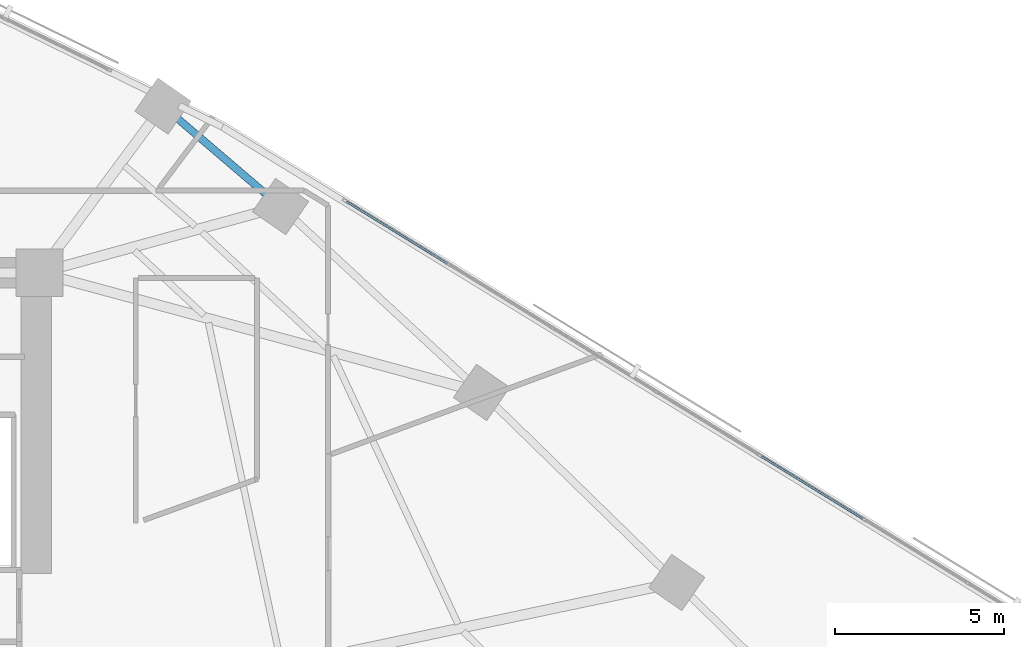
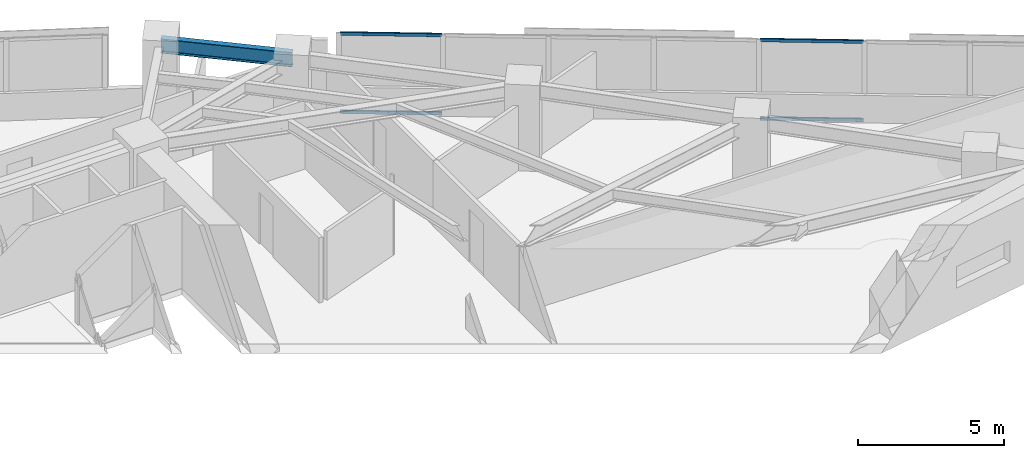
# One storey, part 7 of 18: 4 members, 1 beam, 1 element without a shape of its own.
"""IFC4 building model written with IfcOpenShell, lengths in metres."""

import ifcopenshell
import ifcopenshell.guid

model = None  # the IFC model being written
_history = None  # IfcOwnerHistory: only IFC2X3 demands one
_inside = {}  # id of a spatial element -> (the spatial element, [elements in it])
_under = {}  # id of a project, library or spatial element -> (it, [spatial elements below it])
_declared = {}  # id of a project -> (the project, [libraries it declares])
_typed = {}  # id of a type object -> (the type object, [elements of that type])
_made_of = {}  # id of a material, layer set ... -> (it, [elements and type objects made of it])


def new_model(schema):
    """Start an empty IFC model of exactly this schema.

    Asked for "IFC4X3", IfcOpenShell would pick the latest addendum, in which some entities
    have other attributes; the version numbers below select the first issue.
    IFC2X3 requires an IfcOwnerHistory on every rooted entity: one is made here for all.
    """
    global model, _history
    if schema == "IFC4X3":
        model = ifcopenshell.file(schema_version=(4, 3, 0, 0))
    else:
        model = ifcopenshell.file(schema=schema)
    _inside.clear()
    _under.clear()
    _declared.clear()
    _typed.clear()
    _made_of.clear()
    _history = None
    if model.schema == "IFC2X3":
        org = make("IfcOrganization", Name="unknown")
        user = make(
            "IfcPersonAndOrganization",
            ThePerson=make("IfcPerson", FamilyName="unknown"),
            TheOrganization=org,
        )
        app = make(
            "IfcApplication",
            ApplicationDeveloper=org,
            Version="unknown",
            ApplicationFullName="unknown",
            ApplicationIdentifier="unknown",
        )
        _history = make(
            "IfcOwnerHistory",
            OwningUser=user,
            OwningApplication=app,
            ChangeAction="ADDED",
            CreationDate=0,
        )
    return model


def make(cls, **values):
    """One entity of the class cls with the attributes given. An attribute that is None is left unset."""
    return model.create_entity(
        cls, **{name: value for name, value in values.items() if value is not None}
    )


def rooted(cls, **values):
    """An entity with a GlobalId (a new one), such as an element, a storey or a relation."""
    return make(cls, GlobalId=ifcopenshell.guid.new(), OwnerHistory=_history, **values)


def si_unit(unit_type, name, prefix=None):
    """IfcSIUnit, for example si_unit("LENGTHUNIT", "METRE", prefix="MILLI")."""
    return make("IfcSIUnit", UnitType=unit_type, Prefix=prefix, Name=name)


def assignment(units):
    """IfcUnitAssignment: the units of a project."""
    return None if units is None else make("IfcUnitAssignment", Units=units)


def point(xyz):
    """IfcCartesianPoint."""
    return None if xyz is None else make("IfcCartesianPoint", Coordinates=xyz)


def direction(xyz):
    """IfcDirection."""
    return None if xyz is None else make("IfcDirection", DirectionRatios=xyz)


def frame(location, z_axis=None, x_axis=None):
    """IfcAxis2Placement3D, a coordinate frame: its origin and axes. An axis left out is left unset."""
    return make(
        "IfcAxis2Placement3D",
        Location=point(location),
        Axis=direction(z_axis),
        RefDirection=direction(x_axis),
    )


def frame_2d(location, x_axis=None):
    """IfcAxis2Placement2D, a coordinate frame in the plane: its origin and x axis."""
    return make(
        "IfcAxis2Placement2D", Location=point(location), RefDirection=direction(x_axis)
    )


def origin():
    """The frame at (0, 0, 0) with its axes left unset."""
    return frame((0.0, 0.0, 0.0))


def origin_2d():
    """The frame at (0, 0) in the plane with its x axis left unset."""
    return frame_2d((0.0, 0.0))


def place(relative_to, where):
    """IfcLocalPlacement: puts the frame where relative to a parent placement (None: the world)."""
    return make(
        "IfcLocalPlacement", PlacementRelTo=relative_to, RelativePlacement=where
    )


def context(
    kind, dimensions, precision=None, world=None, true_north=None, identifier=None
):
    """IfcGeometricRepresentationContext, for example the 3D "Model" context."""
    return make(
        "IfcGeometricRepresentationContext",
        ContextIdentifier=identifier,
        ContextType=kind,
        CoordinateSpaceDimension=dimensions,
        Precision=precision,
        WorldCoordinateSystem=world,
        TrueNorth=true_north,
    )


def subcontext(parent, identifier, kind, view, scale=None):
    """IfcGeometricRepresentationSubContext, for example "Body" below "Model"."""
    return make(
        "IfcGeometricRepresentationSubContext",
        ContextIdentifier=identifier,
        ContextType=kind,
        ParentContext=parent,
        TargetScale=scale,
        TargetView=view,
    )


def project(units=None, contexts=None):
    """IfcProject with its units and contexts."""
    return rooted(
        "IfcProject",
        Name="project",
        RepresentationContexts=contexts,
        UnitsInContext=assignment(units),
    )


def spatial(cls, under=None, at=None, **own):
    """A site, building, storey or space (cls), placed at a placement, below another one or the project."""
    s = rooted(cls, ObjectPlacement=at, **own)
    if under is not None:
        _under.setdefault(under.id(), (under, []))[1].append(s)
    return s


def profile(cls, at=None, kind="AREA", **sizes):
    """A parametric profile (cls). Its sizes go by their IFC names, for example OverallWidth=200.0."""
    return make(cls, ProfileType=kind, Position=at, **sizes)


def hollow_rectangle(**sizes):
    """IfcRectangleHollowProfileDef."""
    return profile("IfcRectangleHollowProfileDef", **sizes)


def i_section(**sizes):
    """IfcIShapeProfileDef."""
    return profile("IfcIShapeProfileDef", **sizes)


def extrude(swept, where, along, depth):
    """IfcExtrudedAreaSolid: the profile swept, set in the frame where, extruded along a direction by depth."""
    return make(
        "IfcExtrudedAreaSolid",
        SweptArea=swept,
        Position=where,
        ExtrudedDirection=direction(along),
        Depth=depth,
    )


def shape(context_of_items, identifier, shape_type, items):
    """IfcShapeRepresentation: the items that make up one representation, for example the "Body"."""
    return make(
        "IfcShapeRepresentation",
        ContextOfItems=context_of_items,
        RepresentationIdentifier=identifier,
        RepresentationType=shape_type,
        Items=items,
    )


def material(Name=None, Category=None):
    """IfcMaterial."""
    return make("IfcMaterial", Name=Name, Category=Category)


def material_profile(
    of_material, cross_section, Name=None, Category=None, Priority=None
):
    """IfcMaterialProfile: a cross section and its material."""
    return make(
        "IfcMaterialProfile",
        Name=Name,
        Material=of_material,
        Profile=cross_section,
        Priority=Priority,
        Category=Category,
    )


def profile_set(profiles, Name=None, composite=None):
    """IfcMaterialProfileSet."""
    return make(
        "IfcMaterialProfileSet",
        Name=Name,
        MaterialProfiles=profiles,
        CompositeProfile=composite,
    )


def made_of(thing, what):
    """Note that an element or type object is made of a material, layer set ...; save() writes the relation."""
    if what is not None:
        _made_of.setdefault(what.id(), (what, []))[1].append(thing)
    return thing


def type_object(cls, material=None, **own):
    """A type object (cls), such as IfcWallType, which elements share."""
    return made_of(rooted(cls, **own), material)


def element(
    cls,
    number,
    at=None,
    inside=None,
    cuts=None,
    type_object=None,
    material=None,
    context=None,
    identifier="Body",
    shape_type=None,
    held_by="IfcProductDefinitionShape",
    body=None,
    shapes=None,
    **own,
):
    """One element of the class cls, such as IfcWall. Its Tag is "e" and its number.

    at: its placement. inside: the storey or other place that contains it. cuts: it is an
    opening in that element (IfcRelVoidsElement). A single representation is given by context,
    identifier, shape_type and body (its items); several are given by shapes. held_by: the class
    of the entity that holds the representations. save() writes the other relations.
    """
    e = rooted(cls, Tag="e%d" % number, ObjectPlacement=at, **own)
    if body is not None:
        shapes = [shape(context, identifier, shape_type, body)]
    if shapes is not None:
        e.Representation = make(held_by, Representations=shapes)
    if inside is not None:
        _inside.setdefault(inside.id(), (inside, []))[1].append(e)
    if cuts is not None:
        rooted(
            "IfcRelVoidsElement", RelatingBuildingElement=cuts, RelatedOpeningElement=e
        )
    if type_object is not None:
        _typed.setdefault(type_object.id(), (type_object, []))[1].append(e)
    return made_of(e, material)


def aggregate(whole, parts):
    """IfcRelAggregates: a whole, such as a stair, and the parts it consists of."""
    return rooted("IfcRelAggregates", RelatingObject=whole, RelatedObjects=parts)


def save(model, path):
    """Write the relations noted so far, then the file.

    IfcRelAggregates (storeys below a building ...), IfcRelContainedInSpatialStructure (elements
    in a storey), IfcRelDefinesByType, IfcRelAssociatesMaterial and IfcRelDeclares: one each for
    every whole, place, type object, material and project.
    """
    for whole, parts in _under.values():
        aggregate(whole, parts)
    for where, things in _inside.values():
        rooted(
            "IfcRelContainedInSpatialStructure",
            RelatedElements=things,
            RelatingStructure=where,
        )
    for kind, things in _typed.values():
        rooted("IfcRelDefinesByType", RelatedObjects=things, RelatingType=kind)
    for what, things in _made_of.values():
        rooted("IfcRelAssociatesMaterial", RelatedObjects=things, RelatingMaterial=what)
    for by, libraries in _declared.values():
        rooted("IfcRelDeclares", RelatingContext=by, RelatedDefinitions=libraries)
    model.write(path)


model = new_model("IFC4")

# Units and contexts
model_context = context("Model", 3, precision=1e-05, world=origin(), true_north=direction((0.0, 1.0)))
body_context = subcontext(model_context, "Body", "Model", "MODEL_VIEW")
ifc_project = project(units=[si_unit("LENGTHUNIT", "METRE"), si_unit("AREAUNIT", "SQUARE_METRE"), si_unit("VOLUMEUNIT", "CUBIC_METRE"), si_unit("PLANEANGLEUNIT", "RADIAN"), si_unit("MASSUNIT", "GRAM", prefix="KILO")], contexts=[model_context])

# Site, building, storey
site_placement = place(None, origin())
site = spatial("IfcSite", under=ifc_project, at=site_placement, CompositionType="ELEMENT")
building_placement = place(site_placement, origin())
building = spatial("IfcBuilding", under=site, at=building_placement, Name="Narakoshi Arena Tower", CompositionType="ELEMENT")
storey_placement = place(building_placement, frame((0.0, 0.0, 106.5)))
storey = spatial("IfcBuildingStorey", under=building, at=storey_placement, Name="L28", CompositionType="ELEMENT", Elevation=106.5)

# Beam
ifc_material_1 = material(Name="Structural steel S355J2", Category="steel")
ifc_material_profile_1 = material_profile(ifc_material_1, i_section(OverallWidth=0.219970703125, OverallDepth=0.60009765625, WebThickness=0.011962890625, FlangeThickness=0.01904296875, FilletRadius=0.02392578125, at=origin_2d()), Name="IPE600")
ifc_profile_set_1 = profile_set([ifc_material_profile_1], Name="Structural steel S355J2")
beam_type = type_object("IfcBeamType", Name="BM-EDGE-600", PredefinedType="BEAM", material=ifc_profile_set_1)
beam_placement = place(storey_placement, frame((92.68994140625, 58.462890625, 3.0400390625), z_axis=(-0.760410417533, 0.64944283575, 0.0), x_axis=(-0.64944283575, -0.760410417533, 0.0)))
element("IfcBeam", 1, at=beam_placement, inside=storey, type_object=beam_type, Name="L28 Perimeter Edge Girder 07", PredefinedType="BEAM", context=body_context, shape_type="SweptSolid", body=[
    extrude(i_section(OverallWidth=0.219970703125, OverallDepth=0.60009765625, WebThickness=0.011962890625, FlangeThickness=0.01904296875, FilletRadius=0.02392578125, at=origin_2d()), origin(), (0.0, 0.0, 1.0), 4.58056640625),
])

# Curtain wall, members
ifc_material_2 = material(Name="Anodised bronze aluminium 6063-T6", Category="aluminium")
curtain_wall_type = type_object("IfcCurtainWallType", Name="CW-HYP-LOW", PredefinedType="NOTDEFINED", material=ifc_material_2)
curtain_wall_placement = place(storey_placement, origin())
curtain_wall = element("IfcCurtainWall", 2, at=curtain_wall_placement, inside=storey, type_object=curtain_wall_type, Name="L28 Folded Hypotenuse Curtain Wall 1-1", PredefinedType="NOTDEFINED")
ifc_material_profile_2 = material_profile(ifc_material_2, hollow_rectangle(XDim=0.06494140625, YDim=0.1298828125, WallThickness=0.00390625, OuterFilletRadius=0.0048828125, at=origin_2d()), Name="TRN130x65x4")
ifc_profile_set_2 = profile_set([ifc_material_profile_2], Name="Anodised bronze aluminium 6063-T6")
member_type = type_object("IfcMemberType", Name="MEM-TRN-130", PredefinedType="USERDEFINED", material=ifc_profile_set_2)
member_1_placement = place(storey_placement, frame((109.931884765625, 49.218017578125, 0.032470703125), z_axis=(-0.852103699909, 0.523372988032, 0.0), x_axis=(-0.523372988032, -0.852103699909, 0.0)))
member_1 = element("IfcMember", 3, at=member_1_placement, type_object=member_type, Name="CW-01 transom 4.1", ObjectType="TRANSOM", PredefinedType="USERDEFINED", context=body_context, shape_type="SweptSolid", body=[
    extrude(hollow_rectangle(XDim=0.06494140625, YDim=0.1298828125, WallThickness=0.00390625, OuterFilletRadius=0.0048828125, at=origin_2d()), origin(), (0.0, 0.0, 1.0), 3.535888671875),
])
member_2_placement = place(storey_placement, frame((109.931884765625, 49.218017578125, 3.3076171875), z_axis=(-0.852103699909, 0.523372988032, 0.0), x_axis=(-0.523372988032, -0.852103699909, 0.0)))
member_2 = element("IfcMember", 4, at=member_2_placement, type_object=member_type, Name="CW-01 transom 4.2", ObjectType="TRANSOM", PredefinedType="USERDEFINED", context=body_context, shape_type="SweptSolid", body=[
    extrude(hollow_rectangle(XDim=0.06494140625, YDim=0.1298828125, WallThickness=0.00390625, OuterFilletRadius=0.0048828125, at=origin_2d()), origin(), (0.0, 0.0, 1.0), 3.535888671875),
])
member_3_placement = place(storey_placement, frame((97.624267578125, 56.777099609375, 0.032470703125), z_axis=(-0.852089324923, 0.52339639123, 0.0), x_axis=(-0.52339639123, -0.852089324923, 0.0)))
member_3 = element("IfcMember", 5, at=member_3_placement, type_object=member_type, Name="CW-01 transom 8.1", ObjectType="TRANSOM", PredefinedType="USERDEFINED", context=body_context, shape_type="SweptSolid", body=[
    extrude(hollow_rectangle(XDim=0.06494140625, YDim=0.1298828125, WallThickness=0.00390625, OuterFilletRadius=0.0048828125, at=origin_2d()), origin(), (0.0, 0.0, 1.0), 3.498291015625),
])
member_4_placement = place(storey_placement, frame((97.624267578125, 56.777099609375, 3.3076171875), z_axis=(-0.852089324923, 0.52339639123, 0.0), x_axis=(-0.52339639123, -0.852089324923, 0.0)))
member_4 = element("IfcMember", 6, at=member_4_placement, type_object=member_type, Name="CW-01 transom 8.2", ObjectType="TRANSOM", PredefinedType="USERDEFINED", context=body_context, shape_type="SweptSolid", body=[
    extrude(hollow_rectangle(XDim=0.06494140625, YDim=0.1298828125, WallThickness=0.00390625, OuterFilletRadius=0.0048828125, at=origin_2d()), origin(), (0.0, 0.0, 1.0), 3.498291015625),
])
aggregate(curtain_wall, [member_1, member_2, member_3, member_4])

save(model, "model.ifc")
